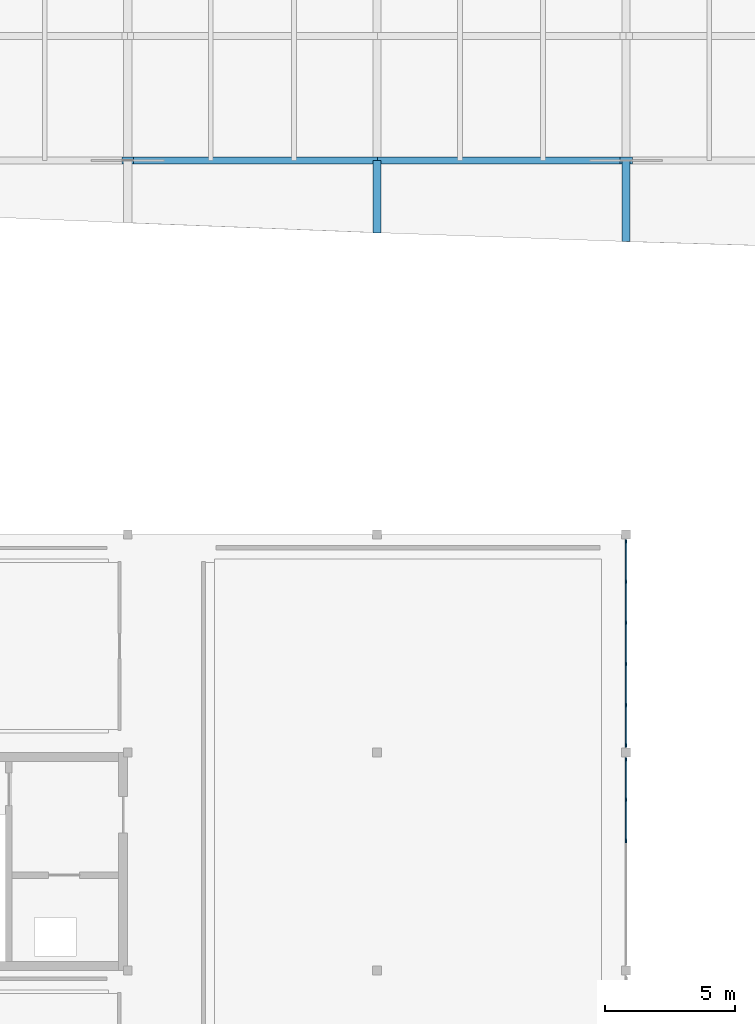
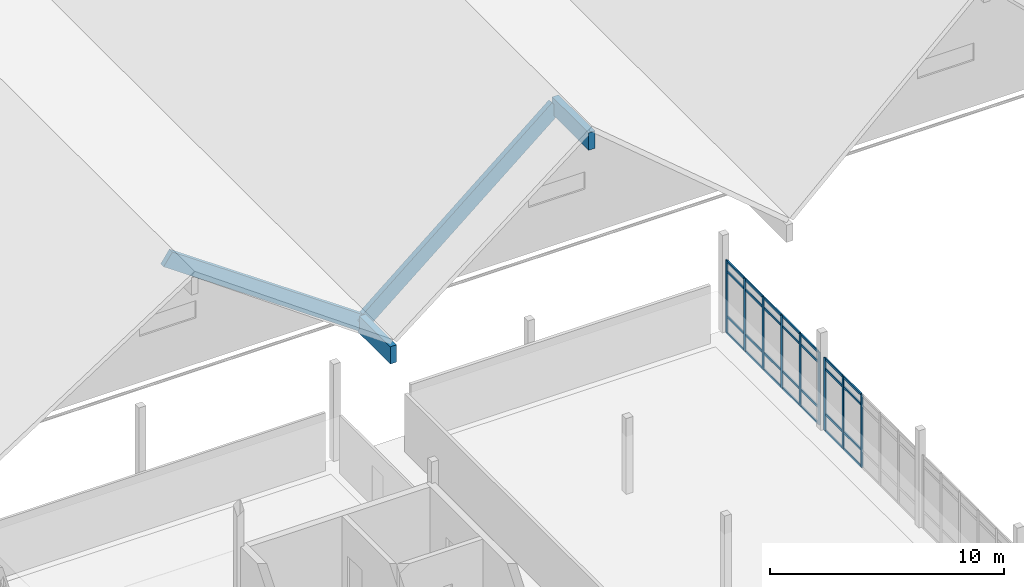
# One storey, part 14 of 42: 41 members, 2 elements without a shape of their own.
"""IFC4 building model written with IfcOpenShell, lengths in metres."""

from ifc_helpers import new_model, si_unit, direction, frame, origin, origin_2d, place, context, subcontext, project, spatial, rectangle, extrude, material, layer, layer_set, material_profile, profile_set, type_object, element, aggregate, save


model = new_model("IFC4")

# Units and contexts
model_context = context("Model", 3, precision=1e-05, world=origin(), true_north=direction((0.0, 1.0)))
body_context = subcontext(model_context, "Body", "Model", "MODEL_VIEW")
ifc_project = project(units=[si_unit("LENGTHUNIT", "METRE"), si_unit("AREAUNIT", "SQUARE_METRE"), si_unit("VOLUMEUNIT", "CUBIC_METRE"), si_unit("PLANEANGLEUNIT", "RADIAN"), si_unit("MASSUNIT", "GRAM", prefix="KILO")], contexts=[model_context])

# Site, building, storey
site_placement = place(None, origin())
site = spatial("IfcSite", under=ifc_project, at=site_placement, CompositionType="ELEMENT")
building_placement = place(site_placement, origin())
building = spatial("IfcBuilding", under=site, at=building_placement, Name="Kolvemor Railside Polytechnic", CompositionType="ELEMENT")
storey_placement = place(building_placement, frame((0.0, 0.0, 14.39990234375)))
storey = spatial("IfcBuildingStorey", under=building, at=storey_placement, Name="L03", CompositionType="ELEMENT", Elevation=14.39990234375)

# Curtain wall, members
ifc_material_1 = material(Name="Anodised marine aluminium and laminated low-E glass", Category="aluminium")
ifc_layer = layer(ifc_material_1, 0.179931640625, Name="CW-UNIT-STD")
ifc_layer_set = layer_set([ifc_layer], Name="Anodised marine aluminium and laminated low-E glass")
curtain_wall_type = type_object("IfcCurtainWallType", Name="CW-UNIT-STD", PredefinedType="USERDEFINED", material=ifc_layer_set)
curtain_wall_1_placement = place(storey_placement, origin())
curtain_wall_1 = element("IfcCurtainWall", 1, at=curtain_wall_1_placement, inside=storey, type_object=curtain_wall_type, Name="Curtain Wall L03-078", ObjectType="UNITISED CURTAIN WALL", PredefinedType="USERDEFINED")
ifc_material_2 = material(Name="Anodised marine aluminium 6063-T6", Category="aluminium")
ifc_material_profile_1 = material_profile(ifc_material_2, rectangle(XDim=0.06494140625, YDim=0.14990234375, at=origin_2d()), Name="CW-MUL-65x150")
ifc_profile_set_1 = profile_set([ifc_material_profile_1], Name="Anodised marine aluminium 6063-T6")
member_type_1 = type_object("IfcMemberType", Name="CWM-65x150", PredefinedType="MULLION", material=ifc_profile_set_1)
member_1_placement = place(storey_placement, frame((48.0, 64.991943359375, 0.0), z_axis=(0.0, 0.0, 1.0), x_axis=(-1.0, 0.0, 0.0)))
member_1 = element("IfcMember", 2, at=member_1_placement, type_object=member_type_1, Name="CW-STD mullion 4", PredefinedType="MULLION", context=body_context, shape_type="SweptSolid", body=[
    extrude(rectangle(XDim=0.06494140625, YDim=0.14990234375, at=origin_2d()), origin(), (0.0, 0.0, 1.0), 3.800048828125),
])
member_2_placement = place(storey_placement, frame((48.0, 66.575927734375, 0.0), z_axis=(0.0, 0.0, 1.0), x_axis=(-1.0, 0.0, 0.0)))
member_2 = element("IfcMember", 3, at=member_2_placement, type_object=member_type_1, Name="CW-STD mullion 5", PredefinedType="MULLION", context=body_context, shape_type="SweptSolid", body=[
    extrude(rectangle(XDim=0.06494140625, YDim=0.14990234375, at=origin_2d()), origin(), (0.0, 0.0, 1.0), 3.800048828125),
])
member_3_placement = place(storey_placement, frame((48.0, 68.12744140625, 0.0), z_axis=(0.0, 0.0, 1.0), x_axis=(-1.0, 0.0, 0.0)))
member_3 = element("IfcMember", 4, at=member_3_placement, type_object=member_type_1, Name="CW-STD mullion 6", PredefinedType="MULLION", context=body_context, shape_type="SweptSolid", body=[
    extrude(rectangle(XDim=0.06494140625, YDim=0.14990234375, at=origin_2d()), origin(), (0.0, 0.0, 1.0), 3.800048828125),
])

curtain_wall_2_placement = place(storey_placement, origin())
curtain_wall_2 = element("IfcCurtainWall", 5, at=curtain_wall_2_placement, inside=storey, type_object=curtain_wall_type, Name="Curtain Wall L03-085", ObjectType="UNITISED CURTAIN WALL", PredefinedType="USERDEFINED")
member_4_placement = place(storey_placement, frame((48.0, 68.672607421875, 0.0), z_axis=(0.0, 0.0, 1.0), x_axis=(-1.0, 0.0, 0.0)))
member_4 = element("IfcMember", 6, at=member_4_placement, type_object=member_type_1, Name="CW-STD mullion 1", PredefinedType="MULLION", context=body_context, shape_type="SweptSolid", body=[
    extrude(rectangle(XDim=0.06494140625, YDim=0.14990234375, at=origin_2d()), origin(), (0.0, 0.0, 1.0), 3.800048828125),
])
member_5_placement = place(storey_placement, frame((48.0, 70.22412109375, 0.0), z_axis=(0.0, 0.0, 1.0), x_axis=(-1.0, 0.0, 0.0)))
member_5 = element("IfcMember", 7, at=member_5_placement, type_object=member_type_1, Name="CW-STD mullion 2", PredefinedType="MULLION", context=body_context, shape_type="SweptSolid", body=[
    extrude(rectangle(XDim=0.06494140625, YDim=0.14990234375, at=origin_2d()), origin(), (0.0, 0.0, 1.0), 3.800048828125),
])
member_6_placement = place(storey_placement, frame((48.0, 71.80810546875, 0.0), z_axis=(0.0, 0.0, 1.0), x_axis=(-1.0, 0.0, 0.0)))
member_6 = element("IfcMember", 8, at=member_6_placement, type_object=member_type_1, Name="CW-STD mullion 3", PredefinedType="MULLION", context=body_context, shape_type="SweptSolid", body=[
    extrude(rectangle(XDim=0.06494140625, YDim=0.14990234375, at=origin_2d()), origin(), (0.0, 0.0, 1.0), 3.800048828125),
])
member_7_placement = place(storey_placement, frame((48.0, 73.39208984375, 0.0), z_axis=(0.0, 0.0, 1.0), x_axis=(-1.0, 0.0, 0.0)))
member_7 = element("IfcMember", 9, at=member_7_placement, type_object=member_type_1, Name="CW-STD mullion 4", PredefinedType="MULLION", context=body_context, shape_type="SweptSolid", body=[
    extrude(rectangle(XDim=0.06494140625, YDim=0.14990234375, at=origin_2d()), origin(), (0.0, 0.0, 1.0), 3.800048828125),
])
member_8_placement = place(storey_placement, frame((48.0, 74.97607421875, 0.0), z_axis=(0.0, 0.0, 1.0), x_axis=(-1.0, 0.0, 0.0)))
member_8 = element("IfcMember", 10, at=member_8_placement, type_object=member_type_1, Name="CW-STD mullion 5", PredefinedType="MULLION", context=body_context, shape_type="SweptSolid", body=[
    extrude(rectangle(XDim=0.06494140625, YDim=0.14990234375, at=origin_2d()), origin(), (0.0, 0.0, 1.0), 3.800048828125),
])
member_9_placement = place(storey_placement, frame((48.0, 76.527587890625, 0.0), z_axis=(0.0, 0.0, 1.0), x_axis=(-1.0, 0.0, 0.0)))
member_9 = element("IfcMember", 11, at=member_9_placement, type_object=member_type_1, Name="CW-STD mullion 6", PredefinedType="MULLION", context=body_context, shape_type="SweptSolid", body=[
    extrude(rectangle(XDim=0.06494140625, YDim=0.14990234375, at=origin_2d()), origin(), (0.0, 0.0, 1.0), 3.800048828125),
])

# Member
ifc_material_3 = material(Name="Anodised marine aluminium 6063-T6", Category="aluminium")
ifc_material_profile_2 = material_profile(ifc_material_3, rectangle(XDim=0.06494140625, YDim=0.1201171875, at=origin_2d()), Name="CW-TRN-65x120")
ifc_profile_set_2 = profile_set([ifc_material_profile_2], Name="Anodised marine aluminium 6063-T6")
member_type_2 = type_object("IfcMemberType", Name="CWT-65x120", PredefinedType="USERDEFINED", material=ifc_profile_set_2)
member_10_placement = place(storey_placement, frame((48.0, 65.0244140625, 0.03271484375), z_axis=(0.0, 1.0, 0.0), x_axis=(-1.0, 0.0, 0.0)))
member_10 = element("IfcMember", 12, at=member_10_placement, type_object=member_type_2, Name="CW-STD transom 4.1", ObjectType="TRANSOM", PredefinedType="USERDEFINED", context=body_context, shape_type="SweptSolid", body=[
    extrude(rectangle(XDim=0.06494140625, YDim=0.1201171875, at=origin_2d()), origin(), (0.0, 0.0, 1.0), 1.51904296875),
])

member_11_placement = place(storey_placement, frame((48.0, 65.0244140625, 0.900146484375), z_axis=(0.0, 1.0, 0.0), x_axis=(-1.0, 0.0, 0.0)))
member_11 = element("IfcMember", 13, at=member_11_placement, type_object=member_type_2, Name="CW-STD transom 4.2", ObjectType="TRANSOM", PredefinedType="USERDEFINED", context=body_context, shape_type="SweptSolid", body=[
    extrude(rectangle(XDim=0.06494140625, YDim=0.1201171875, at=origin_2d()), origin(), (0.0, 0.0, 1.0), 1.51904296875),
])

member_12_placement = place(storey_placement, frame((48.0, 65.0244140625, 3.25), z_axis=(0.0, 1.0, 0.0), x_axis=(-1.0, 0.0, 0.0)))
member_12 = element("IfcMember", 14, at=member_12_placement, type_object=member_type_2, Name="CW-STD transom 4.3", ObjectType="TRANSOM", PredefinedType="USERDEFINED", context=body_context, shape_type="SweptSolid", body=[
    extrude(rectangle(XDim=0.06494140625, YDim=0.1201171875, at=origin_2d()), origin(), (0.0, 0.0, 1.0), 1.51904296875),
])

member_13_placement = place(storey_placement, frame((48.0, 65.0244140625, 3.767578125), z_axis=(0.0, 1.0, 0.0), x_axis=(-1.0, 0.0, 0.0)))
member_13 = element("IfcMember", 15, at=member_13_placement, type_object=member_type_2, Name="CW-STD transom 4.4", ObjectType="TRANSOM", PredefinedType="USERDEFINED", context=body_context, shape_type="SweptSolid", body=[
    extrude(rectangle(XDim=0.06494140625, YDim=0.1201171875, at=origin_2d()), origin(), (0.0, 0.0, 1.0), 1.51904296875),
])

member_14_placement = place(storey_placement, frame((48.0, 66.6083984375, 0.03271484375), z_axis=(0.0, 1.0, 0.0), x_axis=(-1.0, 0.0, 0.0)))
member_14 = element("IfcMember", 16, at=member_14_placement, type_object=member_type_2, Name="CW-STD transom 5.1", ObjectType="TRANSOM", PredefinedType="USERDEFINED", context=body_context, shape_type="SweptSolid", body=[
    extrude(rectangle(XDim=0.06494140625, YDim=0.1201171875, at=origin_2d()), origin(), (0.0, 0.0, 1.0), 1.486572265625),
])

member_15_placement = place(storey_placement, frame((48.0, 66.6083984375, 0.900146484375), z_axis=(0.0, 1.0, 0.0), x_axis=(-1.0, 0.0, 0.0)))
member_15 = element("IfcMember", 17, at=member_15_placement, type_object=member_type_2, Name="CW-STD transom 5.2", ObjectType="TRANSOM", PredefinedType="USERDEFINED", context=body_context, shape_type="SweptSolid", body=[
    extrude(rectangle(XDim=0.06494140625, YDim=0.1201171875, at=origin_2d()), origin(), (0.0, 0.0, 1.0), 1.486572265625),
])

member_16_placement = place(storey_placement, frame((48.0, 66.6083984375, 3.25), z_axis=(0.0, 1.0, 0.0), x_axis=(-1.0, 0.0, 0.0)))
member_16 = element("IfcMember", 18, at=member_16_placement, type_object=member_type_2, Name="CW-STD transom 5.3", ObjectType="TRANSOM", PredefinedType="USERDEFINED", context=body_context, shape_type="SweptSolid", body=[
    extrude(rectangle(XDim=0.06494140625, YDim=0.1201171875, at=origin_2d()), origin(), (0.0, 0.0, 1.0), 1.486572265625),
])

member_17_placement = place(storey_placement, frame((48.0, 66.6083984375, 3.767578125), z_axis=(0.0, 1.0, 0.0), x_axis=(-1.0, 0.0, 0.0)))
member_17 = element("IfcMember", 19, at=member_17_placement, type_object=member_type_2, Name="CW-STD transom 5.4", ObjectType="TRANSOM", PredefinedType="USERDEFINED", context=body_context, shape_type="SweptSolid", body=[
    extrude(rectangle(XDim=0.06494140625, YDim=0.1201171875, at=origin_2d()), origin(), (0.0, 0.0, 1.0), 1.486572265625),
])

aggregate(curtain_wall_1, [member_1, member_2, member_3, member_10, member_11, member_12, member_13, member_14, member_15, member_16, member_17])

member_18_placement = place(storey_placement, frame((48.0, 68.705078125, 0.03271484375), z_axis=(0.0, 1.0, 0.0), x_axis=(-1.0, 0.0, 0.0)))
member_18 = element("IfcMember", 20, at=member_18_placement, type_object=member_type_2, Name="CW-STD transom 1.1", ObjectType="TRANSOM", PredefinedType="USERDEFINED", context=body_context, shape_type="SweptSolid", body=[
    extrude(rectangle(XDim=0.06494140625, YDim=0.1201171875, at=origin_2d()), origin(), (0.0, 0.0, 1.0), 1.486328125),
])

member_19_placement = place(storey_placement, frame((48.0, 68.705078125, 0.900146484375), z_axis=(0.0, 1.0, 0.0), x_axis=(-1.0, 0.0, 0.0)))
member_19 = element("IfcMember", 21, at=member_19_placement, type_object=member_type_2, Name="CW-STD transom 1.2", ObjectType="TRANSOM", PredefinedType="USERDEFINED", context=body_context, shape_type="SweptSolid", body=[
    extrude(rectangle(XDim=0.06494140625, YDim=0.1201171875, at=origin_2d()), origin(), (0.0, 0.0, 1.0), 1.486328125),
])

member_20_placement = place(storey_placement, frame((48.0, 68.705078125, 3.25), z_axis=(0.0, 1.0, 0.0), x_axis=(-1.0, 0.0, 0.0)))
member_20 = element("IfcMember", 22, at=member_20_placement, type_object=member_type_2, Name="CW-STD transom 1.3", ObjectType="TRANSOM", PredefinedType="USERDEFINED", context=body_context, shape_type="SweptSolid", body=[
    extrude(rectangle(XDim=0.06494140625, YDim=0.1201171875, at=origin_2d()), origin(), (0.0, 0.0, 1.0), 1.486328125),
])

member_21_placement = place(storey_placement, frame((48.0, 68.705078125, 3.767578125), z_axis=(0.0, 1.0, 0.0), x_axis=(-1.0, 0.0, 0.0)))
member_21 = element("IfcMember", 23, at=member_21_placement, type_object=member_type_2, Name="CW-STD transom 1.4", ObjectType="TRANSOM", PredefinedType="USERDEFINED", context=body_context, shape_type="SweptSolid", body=[
    extrude(rectangle(XDim=0.06494140625, YDim=0.1201171875, at=origin_2d()), origin(), (0.0, 0.0, 1.0), 1.486328125),
])

member_22_placement = place(storey_placement, frame((48.0, 70.256591796875, 0.03271484375), z_axis=(0.0, 1.0, 0.0), x_axis=(-1.0, 0.0, 0.0)))
member_22 = element("IfcMember", 24, at=member_22_placement, type_object=member_type_2, Name="CW-STD transom 2.1", ObjectType="TRANSOM", PredefinedType="USERDEFINED", context=body_context, shape_type="SweptSolid", body=[
    extrude(rectangle(XDim=0.06494140625, YDim=0.1201171875, at=origin_2d()), origin(), (0.0, 0.0, 1.0), 1.518798828125),
])

member_23_placement = place(storey_placement, frame((48.0, 70.256591796875, 0.900146484375), z_axis=(0.0, 1.0, 0.0), x_axis=(-1.0, 0.0, 0.0)))
member_23 = element("IfcMember", 25, at=member_23_placement, type_object=member_type_2, Name="CW-STD transom 2.2", ObjectType="TRANSOM", PredefinedType="USERDEFINED", context=body_context, shape_type="SweptSolid", body=[
    extrude(rectangle(XDim=0.06494140625, YDim=0.1201171875, at=origin_2d()), origin(), (0.0, 0.0, 1.0), 1.518798828125),
])

member_24_placement = place(storey_placement, frame((48.0, 70.256591796875, 3.25), z_axis=(0.0, 1.0, 0.0), x_axis=(-1.0, 0.0, 0.0)))
member_24 = element("IfcMember", 26, at=member_24_placement, type_object=member_type_2, Name="CW-STD transom 2.3", ObjectType="TRANSOM", PredefinedType="USERDEFINED", context=body_context, shape_type="SweptSolid", body=[
    extrude(rectangle(XDim=0.06494140625, YDim=0.1201171875, at=origin_2d()), origin(), (0.0, 0.0, 1.0), 1.518798828125),
])

member_25_placement = place(storey_placement, frame((48.0, 70.256591796875, 3.767578125), z_axis=(0.0, 1.0, 0.0), x_axis=(-1.0, 0.0, 0.0)))
member_25 = element("IfcMember", 27, at=member_25_placement, type_object=member_type_2, Name="CW-STD transom 2.4", ObjectType="TRANSOM", PredefinedType="USERDEFINED", context=body_context, shape_type="SweptSolid", body=[
    extrude(rectangle(XDim=0.06494140625, YDim=0.1201171875, at=origin_2d()), origin(), (0.0, 0.0, 1.0), 1.518798828125),
])

member_26_placement = place(storey_placement, frame((48.0, 71.840576171875, 0.03271484375), z_axis=(0.0, 1.0, 0.0), x_axis=(-1.0, 0.0, 0.0)))
member_26 = element("IfcMember", 28, at=member_26_placement, type_object=member_type_2, Name="CW-STD transom 3.1", ObjectType="TRANSOM", PredefinedType="USERDEFINED", context=body_context, shape_type="SweptSolid", body=[
    extrude(rectangle(XDim=0.06494140625, YDim=0.1201171875, at=origin_2d()), origin(), (0.0, 0.0, 1.0), 1.51904296875),
])

member_27_placement = place(storey_placement, frame((48.0, 71.840576171875, 0.900146484375), z_axis=(0.0, 1.0, 0.0), x_axis=(-1.0, 0.0, 0.0)))
member_27 = element("IfcMember", 29, at=member_27_placement, type_object=member_type_2, Name="CW-STD transom 3.2", ObjectType="TRANSOM", PredefinedType="USERDEFINED", context=body_context, shape_type="SweptSolid", body=[
    extrude(rectangle(XDim=0.06494140625, YDim=0.1201171875, at=origin_2d()), origin(), (0.0, 0.0, 1.0), 1.51904296875),
])

member_28_placement = place(storey_placement, frame((48.0, 71.840576171875, 3.25), z_axis=(0.0, 1.0, 0.0), x_axis=(-1.0, 0.0, 0.0)))
member_28 = element("IfcMember", 30, at=member_28_placement, type_object=member_type_2, Name="CW-STD transom 3.3", ObjectType="TRANSOM", PredefinedType="USERDEFINED", context=body_context, shape_type="SweptSolid", body=[
    extrude(rectangle(XDim=0.06494140625, YDim=0.1201171875, at=origin_2d()), origin(), (0.0, 0.0, 1.0), 1.51904296875),
])

member_29_placement = place(storey_placement, frame((48.0, 71.840576171875, 3.767578125), z_axis=(0.0, 1.0, 0.0), x_axis=(-1.0, 0.0, 0.0)))
member_29 = element("IfcMember", 31, at=member_29_placement, type_object=member_type_2, Name="CW-STD transom 3.4", ObjectType="TRANSOM", PredefinedType="USERDEFINED", context=body_context, shape_type="SweptSolid", body=[
    extrude(rectangle(XDim=0.06494140625, YDim=0.1201171875, at=origin_2d()), origin(), (0.0, 0.0, 1.0), 1.51904296875),
])

member_30_placement = place(storey_placement, frame((48.0, 73.424560546875, 0.03271484375), z_axis=(0.0, 1.0, 0.0), x_axis=(-1.0, 0.0, 0.0)))
member_30 = element("IfcMember", 32, at=member_30_placement, type_object=member_type_2, Name="CW-STD transom 4.1", ObjectType="TRANSOM", PredefinedType="USERDEFINED", context=body_context, shape_type="SweptSolid", body=[
    extrude(rectangle(XDim=0.06494140625, YDim=0.1201171875, at=origin_2d()), origin(), (0.0, 0.0, 1.0), 1.51904296875),
])

member_31_placement = place(storey_placement, frame((48.0, 73.424560546875, 0.900146484375), z_axis=(0.0, 1.0, 0.0), x_axis=(-1.0, 0.0, 0.0)))
member_31 = element("IfcMember", 33, at=member_31_placement, type_object=member_type_2, Name="CW-STD transom 4.2", ObjectType="TRANSOM", PredefinedType="USERDEFINED", context=body_context, shape_type="SweptSolid", body=[
    extrude(rectangle(XDim=0.06494140625, YDim=0.1201171875, at=origin_2d()), origin(), (0.0, 0.0, 1.0), 1.51904296875),
])

member_32_placement = place(storey_placement, frame((48.0, 73.424560546875, 3.25), z_axis=(0.0, 1.0, 0.0), x_axis=(-1.0, 0.0, 0.0)))
member_32 = element("IfcMember", 34, at=member_32_placement, type_object=member_type_2, Name="CW-STD transom 4.3", ObjectType="TRANSOM", PredefinedType="USERDEFINED", context=body_context, shape_type="SweptSolid", body=[
    extrude(rectangle(XDim=0.06494140625, YDim=0.1201171875, at=origin_2d()), origin(), (0.0, 0.0, 1.0), 1.51904296875),
])

member_33_placement = place(storey_placement, frame((48.0, 73.424560546875, 3.767578125), z_axis=(0.0, 1.0, 0.0), x_axis=(-1.0, 0.0, 0.0)))
member_33 = element("IfcMember", 35, at=member_33_placement, type_object=member_type_2, Name="CW-STD transom 4.4", ObjectType="TRANSOM", PredefinedType="USERDEFINED", context=body_context, shape_type="SweptSolid", body=[
    extrude(rectangle(XDim=0.06494140625, YDim=0.1201171875, at=origin_2d()), origin(), (0.0, 0.0, 1.0), 1.51904296875),
])

member_34_placement = place(storey_placement, frame((48.0, 75.008544921875, 0.03271484375), z_axis=(0.0, 1.0, 0.0), x_axis=(-1.0, 0.0, 0.0)))
member_34 = element("IfcMember", 36, at=member_34_placement, type_object=member_type_2, Name="CW-STD transom 5.1", ObjectType="TRANSOM", PredefinedType="USERDEFINED", context=body_context, shape_type="SweptSolid", body=[
    extrude(rectangle(XDim=0.06494140625, YDim=0.1201171875, at=origin_2d()), origin(), (0.0, 0.0, 1.0), 1.486572265625),
])

member_35_placement = place(storey_placement, frame((48.0, 75.008544921875, 0.900146484375), z_axis=(0.0, 1.0, 0.0), x_axis=(-1.0, 0.0, 0.0)))
member_35 = element("IfcMember", 37, at=member_35_placement, type_object=member_type_2, Name="CW-STD transom 5.2", ObjectType="TRANSOM", PredefinedType="USERDEFINED", context=body_context, shape_type="SweptSolid", body=[
    extrude(rectangle(XDim=0.06494140625, YDim=0.1201171875, at=origin_2d()), origin(), (0.0, 0.0, 1.0), 1.486572265625),
])

member_36_placement = place(storey_placement, frame((48.0, 75.008544921875, 3.25), z_axis=(0.0, 1.0, 0.0), x_axis=(-1.0, 0.0, 0.0)))
member_36 = element("IfcMember", 38, at=member_36_placement, type_object=member_type_2, Name="CW-STD transom 5.3", ObjectType="TRANSOM", PredefinedType="USERDEFINED", context=body_context, shape_type="SweptSolid", body=[
    extrude(rectangle(XDim=0.06494140625, YDim=0.1201171875, at=origin_2d()), origin(), (0.0, 0.0, 1.0), 1.486572265625),
])

member_37_placement = place(storey_placement, frame((48.0, 75.008544921875, 3.767578125), z_axis=(0.0, 1.0, 0.0), x_axis=(-1.0, 0.0, 0.0)))
member_37 = element("IfcMember", 39, at=member_37_placement, type_object=member_type_2, Name="CW-STD transom 5.4", ObjectType="TRANSOM", PredefinedType="USERDEFINED", context=body_context, shape_type="SweptSolid", body=[
    extrude(rectangle(XDim=0.06494140625, YDim=0.1201171875, at=origin_2d()), origin(), (0.0, 0.0, 1.0), 1.486572265625),
])

aggregate(curtain_wall_2, [member_4, member_5, member_6, member_7, member_8, member_9, member_18, member_19, member_20, member_21, member_22, member_23, member_24, member_25, member_26, member_27, member_28, member_29, member_30, member_31, member_32, member_33, member_34, member_35, member_36, member_37])

# Members
ifc_material_4 = material(Name="Glulam GL28h", Category="wood")
ifc_material_profile_3 = material_profile(ifc_material_4, rectangle(XDim=0.31494140625, YDim=0.89990234375, at=origin_2d()), Name="GL315x900")
ifc_profile_set_3 = profile_set([ifc_material_profile_3], Name="Glulam GL28h")
member_type_3 = type_object("IfcMemberType", Name="MEM-FP-CHORD", PredefinedType="CHORD", material=ifc_profile_set_3)
member_38_placement = place(storey_placement, frame((38.39990234375, 88.4189453125, -4.96875), z_axis=(0.0, 1.0, 0.0), x_axis=(-1.0, 0.0, 0.0)))
element("IfcMember", 40, at=member_38_placement, inside=storey, type_object=member_type_3, Name="Folded-Plate Valley Chord CH-V2-1", PredefinedType="CHORD", context=body_context, shape_type="SweptSolid", body=[
    extrude(rectangle(XDim=0.31494140625, YDim=0.89990234375, at=origin_2d()), origin(), (0.0, 0.0, 1.0), 2.781005859375),
])
member_39_placement = place(storey_placement, frame((48.0, 88.077880859375, 3.03759765625), z_axis=(0.0, 1.0, 0.0), x_axis=(-1.0, 0.0, 0.0)))
element("IfcMember", 41, at=member_39_placement, inside=storey, type_object=member_type_3, Name="Folded-Plate Ridge Chord CH-R2-1", PredefinedType="CHORD", context=body_context, shape_type="SweptSolid", body=[
    extrude(rectangle(XDim=0.31494140625, YDim=0.89990234375, at=origin_2d()), origin(), (0.0, 0.0, 1.0), 3.1220703125),
])
ifc_material_5 = material(Name="Glulam GL28h", Category="wood")
ifc_material_profile_4 = material_profile(ifc_material_5, rectangle(XDim=0.264892578125, YDim=0.760009765625, at=origin_2d()), Name="GL265x760")
ifc_profile_set_4 = profile_set([ifc_material_profile_4], Name="Glulam GL28h")
member_type_4 = type_object("IfcMemberType", Name="MEM-FP-RAFTER", PredefinedType="RAFTER", material=ifc_profile_set_4)
member_40_placement = place(storey_placement, frame((28.800048828125, 91.199951171875, 1.743896484375), z_axis=(0.820031582841, 0.0, -0.572318270845), x_axis=(0.0, 1.0, 0.0)))
element("IfcMember", 42, at=member_40_placement, inside=storey, type_object=member_type_4, Name="Folded-Plate East Rafter RF-E1-1", PredefinedType="RAFTER", context=body_context, shape_type="SweptSolid", body=[
    extrude(rectangle(XDim=0.264892578125, YDim=0.760009765625, at=origin_2d()), origin(), (0.0, 0.0, 1.0), 11.706787109375),
])
member_41_placement = place(storey_placement, frame((38.39990234375, 91.199951171875, -5.007080078125), z_axis=(0.768224482335, 0.0, 0.640180556359), x_axis=(0.0, 1.0, 0.0)))
element("IfcMember", 43, at=member_41_placement, inside=storey, type_object=member_type_4, Name="Folded-Plate West Rafter RF-W2-1", PredefinedType="RAFTER", context=body_context, shape_type="SweptSolid", body=[
    extrude(rectangle(XDim=0.264892578125, YDim=0.760009765625, at=origin_2d()), origin(), (0.0, 0.0, 1.0), 12.49658203125),
])

save(model, "model.ifc")
